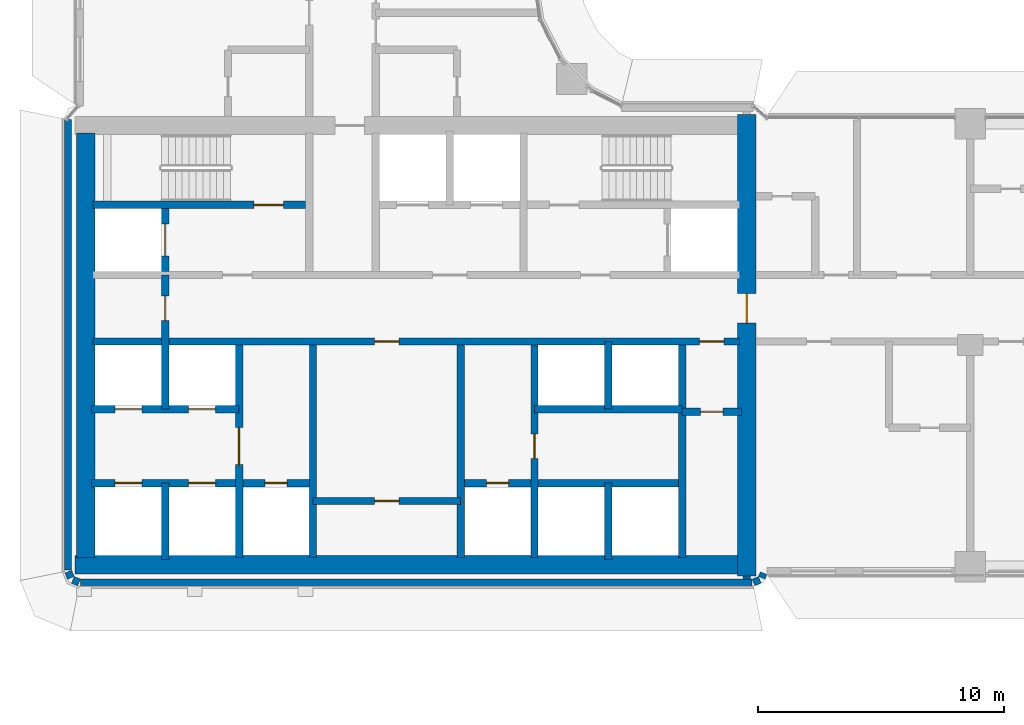
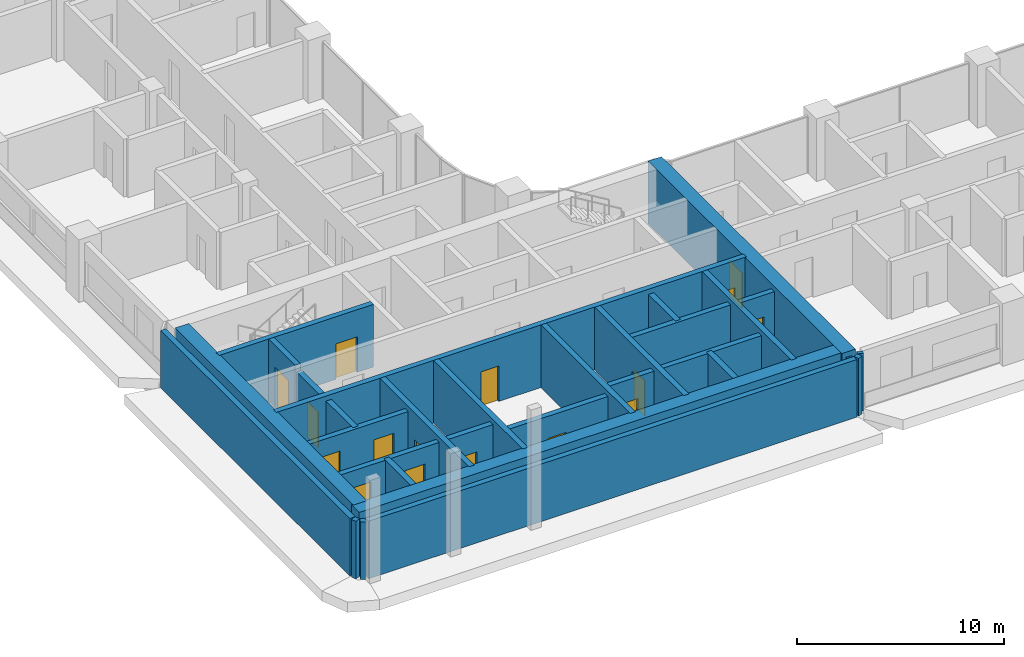
# One storey, part 15 of 33: 28 walls, 16 doors, 16 openings.
"""IFC4 building model written with IfcOpenShell, lengths in metres."""

from ifc_helpers import new_model, si_unit, direction, frame, frame_2d, origin, place, context, subcontext, project, spatial, rectangle, extrude, material, layer, layer_set, type_object, element, fill, save


model = new_model("IFC4")

# Units and contexts
model_context = context("Model", 3, precision=1e-05, world=origin(), true_north=direction((0.0, 1.0)))
body_context = subcontext(model_context, "Body", "Model", "MODEL_VIEW")
ifc_project = project(units=[si_unit("LENGTHUNIT", "METRE"), si_unit("AREAUNIT", "SQUARE_METRE"), si_unit("VOLUMEUNIT", "CUBIC_METRE"), si_unit("PLANEANGLEUNIT", "RADIAN"), si_unit("MASSUNIT", "GRAM", prefix="KILO")], contexts=[model_context])

# Site, building, storey
site_placement = place(None, origin())
site = spatial("IfcSite", under=ifc_project, at=site_placement, CompositionType="ELEMENT")
building_placement = place(site_placement, origin())
building = spatial("IfcBuilding", under=site, at=building_placement, Name="Ogive Portal Towers", CompositionType="ELEMENT")
storey_placement = place(building_placement, frame((0.0, 0.0, 98.199951171875)))
storey = spatial("IfcBuildingStorey", under=building, at=storey_placement, Name="L23", CompositionType="ELEMENT", Elevation=98.199951171875)

# Wall, opening, door
ifc_material_1 = material(Name="Concrete C60/75", Category="concrete")
ifc_layer_1 = layer(ifc_material_1, 0.300048828125)
ifc_layer_set_1 = layer_set([ifc_layer_1], Name="CORE WALL 300 C60")
wall_type_1 = type_object("IfcWallType", Name="CORE WALL 300 C60", PredefinedType="SHEAR", material=ifc_layer_set_1)
wall_1_placement = place(storey_placement, frame((37.800048828125, 21.875, 0.0), z_axis=(0.0, 0.0, 1.0), x_axis=(0.0, 1.0, 0.0)))
wall_1 = element("IfcWall", 1, at=wall_1_placement, inside=storey, type_object=wall_type_1, Name="Core wall X1 L23", PredefinedType="SHEAR", context=body_context, shape_type="SweptSolid", body=[
    extrude(rectangle(XDim=8.625, YDim=0.300048828125, at=frame_2d((4.3125, 0.0))), origin(), (0.0, 0.0, 1.0), 3.699951171875),
])
opening_1_placement = place(wall_1_placement, frame((3.77490234375, 0.0, 0.0)))
opening_1 = element("IfcOpeningElement", 2, at=opening_1_placement, cuts=wall_1, Name="Opening D08-001", PredefinedType="OPENING", context=body_context, shape_type="SweptSolid", body=[
    extrude(rectangle(XDim=1.5, YDim=2.10009765625, at=frame_2d((0.75, 1.050048828125))), frame((0.0, 0.16015625, 0.0), z_axis=(0.0, -1.0, 0.0), x_axis=(1.0, 0.0, 0.0)), (0.0, 0.0, 1.0), 0.320068359375),
])
ifc_material_2 = material(Name="Steel fire door", Category="steel")
door_type_1 = type_object("IfcDoorType", Name="DT-SWING-1500x2100-FD90S", OperationType="SINGLE_SWING_LEFT", PredefinedType="DOOR", material=ifc_material_2)
door_1_placement = place(opening_1_placement, origin())
door_1 = element("IfcDoor", 3, at=door_1_placement, inside=storey, type_object=door_type_1, Name="Door D08-001", OperationType="SINGLE_SWING_LEFT", OverallHeight=2.10009765625, OverallWidth=1.5, PredefinedType="DOOR", context=body_context, shape_type="SweptSolid", body=[
    extrude(rectangle(XDim=1.5, YDim=2.10009765625, at=frame_2d((0.75, 1.050048828125))), frame((0.0, 0.02490234375, 0.0), z_axis=(0.0, -1.0, 0.0), x_axis=(1.0, 0.0, 0.0)), (0.0, 0.0, 1.0), 0.050048828125),
])
fill(opening_1, door_1)

# Walls
for number, where, z_axis, x_axis, name in (
    (4, (40.800048828125, 21.875, 0.0), (0.0, 0.0, 1.0), (0.0, 1.0, 0.0), "Core wall X2 L23"),
    (5, (46.800048828125, 21.875, 0.0), (0.0, 0.0, 1.0), (0.0, 1.0, 0.0), "Core wall X3 L23"),
):
    element("IfcWall", number, at=place(storey_placement, frame(where, z_axis=z_axis, x_axis=x_axis)), inside=storey, type_object=wall_type_1, Name=name, PredefinedType="SHEAR", context=body_context, shape_type="SweptSolid", body=[
        extrude(rectangle(XDim=8.625, YDim=0.300048828125, at=frame_2d((4.3125, 0.0))), origin(), (0.0, 0.0, 1.0), 3.699951171875),
    ])

# Wall, opening, door
wall_2_placement = place(storey_placement, frame((49.800048828125, 21.875, 0.0), z_axis=(0.0, 0.0, 1.0), x_axis=(0.0, 1.0, 0.0)))
wall_2 = element("IfcWall", 6, at=wall_2_placement, inside=storey, type_object=wall_type_1, Name="Core wall X4 L23", PredefinedType="SHEAR", context=body_context, shape_type="SweptSolid", body=[
    extrude(rectangle(XDim=8.625, YDim=0.300048828125, at=frame_2d((4.3125, 0.0))), origin(), (0.0, 0.0, 1.0), 3.699951171875),
])
opening_2_placement = place(wall_2_placement, frame((4.02490234375, 0.0, 0.0)))
opening_2 = element("IfcOpeningElement", 7, at=opening_2_placement, cuts=wall_2, Name="Opening D08-023", PredefinedType="OPENING", context=body_context, shape_type="SweptSolid", body=[
    extrude(rectangle(XDim=1.0, YDim=2.10009765625, at=frame_2d((0.5, 1.050048828125))), frame((0.0, 0.16015625, 0.0), z_axis=(0.0, -1.0, 0.0), x_axis=(1.0, 0.0, 0.0)), (0.0, 0.0, 1.0), 0.320068359375),
])
door_type_2 = type_object("IfcDoorType", Name="DT-SWING-1000x2100-FD90S", OperationType="SINGLE_SWING_LEFT", PredefinedType="DOOR", material=ifc_material_2)
door_2_placement = place(opening_2_placement, origin())
door_2 = element("IfcDoor", 8, at=door_2_placement, inside=storey, type_object=door_type_2, Name="Door D08-023", OperationType="SINGLE_SWING_LEFT", OverallHeight=2.10009765625, OverallWidth=1.0, PredefinedType="DOOR", context=body_context, shape_type="SweptSolid", body=[
    extrude(rectangle(XDim=1.0, YDim=2.10009765625, at=frame_2d((0.5, 1.050048828125))), frame((0.0, 0.02490234375, 0.0), z_axis=(0.0, -1.0, 0.0), x_axis=(1.0, 0.0, 0.0)), (0.0, 0.0, 1.0), 0.050048828125),
])
fill(opening_2, door_2)

# Wall
wall_3_placement = place(storey_placement, frame((55.800048828125, 21.875, 0.0), z_axis=(0.0, 0.0, 1.0), x_axis=(0.0, 1.0, 0.0)))
element("IfcWall", 9, at=wall_3_placement, inside=storey, type_object=wall_type_1, Name="Core wall X5 L23", PredefinedType="SHEAR", context=body_context, shape_type="SweptSolid", body=[
    extrude(rectangle(XDim=8.625, YDim=0.300048828125, at=frame_2d((4.3125, 0.0))), origin(), (0.0, 0.0, 1.0), 3.699951171875),
])

# Wall, openings, doors
wall_4_placement = place(storey_placement, frame((31.875, 30.64990234375, 0.0), z_axis=(0.0, 0.0, 1.0), x_axis=(1.0, 0.0, 0.0)))
wall_4 = element("IfcWall", 10, at=wall_4_placement, inside=storey, type_object=wall_type_1, Name="Core wall Y1 L23", PredefinedType="SHEAR", context=body_context, shape_type="SweptSolid", body=[
    extrude(rectangle(XDim=26.25, YDim=0.300048828125, at=frame_2d((13.125, 0.0))), origin(), (0.0, 0.0, 1.0), 3.699951171875),
])
opening_3_placement = place(wall_4_placement, frame((24.625, 0.0, 0.0)))
opening_3 = element("IfcOpeningElement", 11, at=opening_3_placement, cuts=wall_4, Name="Opening D08-009", PredefinedType="OPENING", context=body_context, shape_type="SweptSolid", body=[
    extrude(rectangle(XDim=1.0, YDim=2.10009765625, at=frame_2d((0.5, 1.050048828125))), frame((0.0, 0.16015625, 0.0), z_axis=(0.0, -1.0, 0.0), x_axis=(1.0, 0.0, 0.0)), (0.0, 0.0, 1.0), 0.320068359375),
])
opening_4_placement = place(wall_4_placement, frame((11.425048828125, 0.0, 0.0)))
opening_4 = element("IfcOpeningElement", 12, at=opening_4_placement, cuts=wall_4, Name="Opening D08-021", PredefinedType="OPENING", context=body_context, shape_type="SweptSolid", body=[
    extrude(rectangle(XDim=1.0, YDim=2.10009765625, at=frame_2d((0.5, 1.050048828125))), frame((0.0, 0.16015625, 0.0), z_axis=(0.0, -1.0, 0.0), x_axis=(1.0, 0.0, 0.0)), (0.0, 0.0, 1.0), 0.320068359375),
])
door_3_placement = place(opening_3_placement, origin())
door_3 = element("IfcDoor", 13, at=door_3_placement, inside=storey, type_object=door_type_2, Name="Door D08-009", OperationType="SINGLE_SWING_LEFT", OverallHeight=2.10009765625, OverallWidth=1.0, PredefinedType="DOOR", context=body_context, shape_type="SweptSolid", body=[
    extrude(rectangle(XDim=1.0, YDim=2.10009765625, at=frame_2d((0.5, 1.050048828125))), frame((0.0, 0.02490234375, 0.0), z_axis=(0.0, -1.0, 0.0), x_axis=(1.0, 0.0, 0.0)), (0.0, 0.0, 1.0), 0.050048828125),
])
fill(opening_3, door_3)
door_4_placement = place(opening_4_placement, origin())
door_4 = element("IfcDoor", 14, at=door_4_placement, inside=storey, type_object=door_type_2, Name="Door D08-021", OperationType="SINGLE_SWING_LEFT", OverallHeight=2.10009765625, OverallWidth=1.0, PredefinedType="DOOR", context=body_context, shape_type="SweptSolid", body=[
    extrude(rectangle(XDim=1.0, YDim=2.10009765625, at=frame_2d((0.5, 1.050048828125))), frame((0.0, 0.02490234375, 0.0), z_axis=(0.0, -1.0, 0.0), x_axis=(1.0, 0.0, 0.0)), (0.0, 0.0, 1.0), 0.050048828125),
])
fill(opening_4, door_4)

# Wall, opening, door
wall_5_placement = place(storey_placement, frame((31.875, 36.199951171875, 0.0), z_axis=(0.0, 0.0, 1.0), x_axis=(1.0, 0.0, 0.0)))
wall_5 = element("IfcWall", 15, at=wall_5_placement, inside=storey, type_object=wall_type_1, Name="Core wall Y3a L23", PredefinedType="SHEAR", context=body_context, shape_type="SweptSolid", body=[
    extrude(rectangle(XDim=8.625, YDim=0.300048828125, at=frame_2d((4.3125, 0.0))), origin(), (0.0, 0.0, 1.0), 3.699951171875),
])
opening_5_placement = place(wall_5_placement, frame((6.52490234375, 0.0, 0.0)))
opening_5 = element("IfcOpeningElement", 16, at=opening_5_placement, cuts=wall_5, Name="Opening D08-005", PredefinedType="OPENING", context=body_context, shape_type="SweptSolid", body=[
    extrude(rectangle(XDim=1.199951171875, YDim=2.10009765625, at=frame_2d((0.60009765625, 1.050048828125))), frame((0.0, 0.16015625, 0.0), z_axis=(0.0, -1.0, 0.0), x_axis=(1.0, 0.0, 0.0)), (0.0, 0.0, 1.0), 0.320068359375),
])
door_type_3 = type_object("IfcDoorType", Name="DT-SWING-1200x2100-FD90S", OperationType="SINGLE_SWING_LEFT", PredefinedType="DOOR", material=ifc_material_2)
door_5_placement = place(opening_5_placement, origin())
door_5 = element("IfcDoor", 17, at=door_5_placement, inside=storey, type_object=door_type_3, Name="Door D08-005", OperationType="SINGLE_SWING_RIGHT", OverallHeight=2.10009765625, OverallWidth=1.199951171875, PredefinedType="DOOR", context=body_context, shape_type="SweptSolid", body=[
    extrude(rectangle(XDim=1.199951171875, YDim=2.10009765625, at=frame_2d((0.60009765625, 1.050048828125))), frame((0.0, 0.02490234375, 0.0), z_axis=(0.0, -1.0, 0.0), x_axis=(1.0, 0.0, 0.0)), (0.0, 0.0, 1.0), 0.050048828125),
])
fill(opening_5, door_5)

wall_6_placement = place(storey_placement, frame((34.800048828125, 33.5, 0.0), z_axis=(0.0, 0.0, 1.0), x_axis=(0.0, 1.0, 0.0)))
wall_6 = element("IfcWall", 18, at=wall_6_placement, inside=storey, type_object=wall_type_1, Name="Core wall X8 L23", PredefinedType="SHEAR", context=body_context, shape_type="SweptSolid", body=[
    extrude(rectangle(XDim=2.550048828125, YDim=0.300048828125, at=frame_2d((1.27490234375, 0.0))), origin(), (0.0, 0.0, 1.0), 3.699951171875),
])
opening_6_placement = place(wall_6_placement, frame((0.625, 0.0, 0.0)))
opening_6 = element("IfcOpeningElement", 19, at=opening_6_placement, cuts=wall_6, Name="Opening D08-019", PredefinedType="OPENING", context=body_context, shape_type="SweptSolid", body=[
    extrude(rectangle(XDim=1.300048828125, YDim=2.39990234375, at=frame_2d((0.64990234375, 1.199951171875))), frame((0.0, 0.16015625, 0.0), z_axis=(0.0, -1.0, 0.0), x_axis=(1.0, 0.0, 0.0)), (0.0, 0.0, 1.0), 0.320068359375),
])
ifc_material_3 = material(Name="Stainless steel", Category="steel")
door_type_4 = type_object("IfcDoorType", Name="DT-LD-1300x2400", OperationType="SLIDING_TO_LEFT", PredefinedType="DOOR", material=ifc_material_3)
door_6_placement = place(opening_6_placement, origin())
door_6 = element("IfcDoor", 20, at=door_6_placement, inside=storey, type_object=door_type_4, Name="Door D08-019", OperationType="SLIDING_TO_LEFT", OverallHeight=2.39990234375, OverallWidth=1.300048828125, PredefinedType="DOOR", context=body_context, shape_type="SweptSolid", body=[
    extrude(rectangle(XDim=1.300048828125, YDim=2.39990234375, at=frame_2d((0.64990234375, 1.199951171875))), frame((0.0, 0.02490234375, 0.0), z_axis=(0.0, -1.0, 0.0), x_axis=(1.0, 0.0, 0.0)), (0.0, 0.0, 1.0), 0.050048828125),
])
fill(opening_6, door_6)

# Walls
ifc_layer_2 = layer(ifc_material_1, 0.75)
ifc_layer_set_2 = layer_set([ifc_layer_2], Name="CORE WALL 750 C60")
wall_type_2 = type_object("IfcWallType", Name="CORE WALL 750 C60", PredefinedType="SHEAR", material=ifc_layer_set_2)
wall_7_placement = place(storey_placement, frame((31.574951171875, 21.875, 0.0), z_axis=(0.0, 0.0, 1.0), x_axis=(0.0, 1.0, 0.0)))
element("IfcWall", 21, at=wall_7_placement, inside=storey, type_object=wall_type_2, Name="Core wall W L23", PredefinedType="SHEAR", context=body_context, shape_type="SweptSolid", body=[
    extrude(rectangle(XDim=17.25, YDim=0.75, at=frame_2d((8.625, 0.0))), origin(), (0.0, 0.0, 1.0), 3.699951171875),
])
wall_8_placement = place(storey_placement, frame((31.125, 21.574951171875, 0.0), z_axis=(0.0, 0.0, 1.0), x_axis=(1.0, 0.0, 0.0)))
element("IfcWall", 22, at=wall_8_placement, inside=storey, type_object=wall_type_2, Name="Core wall S L23", PredefinedType="SHEAR", context=body_context, shape_type="SweptSolid", body=[
    extrude(rectangle(XDim=27.0, YDim=0.75, at=frame_2d((13.5, 0.0))), origin(), (0.0, 0.0, 1.0), 3.699951171875),
])

# Wall, opening, door
wall_9_placement = place(storey_placement, frame((58.425048828125, 21.125, 0.0), z_axis=(0.0, 0.0, 1.0), x_axis=(0.0, 1.0, 0.0)))
wall_9 = element("IfcWall", 23, at=wall_9_placement, inside=storey, type_object=wall_type_2, Name="Core wall E L23", PredefinedType="SHEAR", context=body_context, shape_type="SweptSolid", body=[
    extrude(rectangle(XDim=18.75, YDim=0.75, at=frame_2d((9.375, 0.0))), origin(), (0.0, 0.0, 1.0), 3.699951171875),
])
opening_7_placement = place(wall_9_placement, frame((10.27490234375, 0.0, 0.0)))
opening_7 = element("IfcOpeningElement", 24, at=opening_7_placement, cuts=wall_9, Name="Opening D08-011", PredefinedType="OPENING", context=body_context, shape_type="SweptSolid", body=[
    extrude(rectangle(XDim=1.199951171875, YDim=2.10009765625, at=frame_2d((0.60009765625, 1.050048828125))), frame((0.0, 0.385009765625, 0.0), z_axis=(0.0, -1.0, 0.0), x_axis=(1.0, 0.0, 0.0)), (0.0, 0.0, 1.0), 0.77001953125),
])
door_7_placement = place(opening_7_placement, origin())
door_7 = element("IfcDoor", 25, at=door_7_placement, inside=storey, type_object=door_type_3, Name="Door D08-011", OperationType="SINGLE_SWING_LEFT", OverallHeight=2.10009765625, OverallWidth=1.199951171875, PredefinedType="DOOR", context=body_context, shape_type="SweptSolid", body=[
    extrude(rectangle(XDim=1.199951171875, YDim=2.10009765625, at=frame_2d((0.60009765625, 1.050048828125))), frame((0.0, 0.02490234375, 0.0), z_axis=(0.0, -1.0, 0.0), x_axis=(1.0, 0.0, 0.0)), (0.0, 0.0, 1.0), 0.050048828125),
])
fill(opening_7, door_7)

# Walls
ifc_material_4 = material(Name="Limestone cladding on lightweight block wall", Category="masonry")
ifc_layer_3 = layer(ifc_material_4, 0.300048828125)
ifc_layer_set_3 = layer_set([ifc_layer_3], Name="EXTERNAL WALL 300 STONE")
wall_type_3 = type_object("IfcWallType", Name="EXTERNAL WALL 300 STONE", PredefinedType="SOLIDWALL", material=ifc_layer_set_3)
wall_10_placement = place(storey_placement, frame((30.85009765625, 39.669921875, 0.0), z_axis=(0.0, 0.0, 1.0), x_axis=(0.0, -1.0, 0.0)))
element("IfcWall", 26, at=wall_10_placement, inside=storey, type_object=wall_type_3, Name="A:L23:f14:r0:wall", PredefinedType="SOLIDWALL", context=body_context, shape_type="SweptSolid", body=[
    extrude(rectangle(XDim=18.310302734375, YDim=0.300048828125, at=frame_2d((9.1552734375, 0.0))), origin(), (0.0, 0.0, 1.0), 3.400146484375),
])
for number, where, z_axis, x_axis, name in (
    (27, (30.861328125, 21.30224609375, 0.0), (0.0, 0.0, 1.0), (0.38297812142, -0.923757413239, 0.0), "A:L23:f15:r0:wall"),
    (28, (31.0478515625, 20.966796875, 0.0), (0.0, 0.0, 1.0), (0.923757413239, -0.38297812142, 0.0), "A:L23:f16:r0:wall"),
):
    element("IfcWall", number, at=place(storey_placement, frame(where, z_axis=z_axis, x_axis=x_axis)), inside=storey, type_object=wall_type_3, Name=name, PredefinedType="SOLIDWALL", context=body_context, shape_type="SweptSolid", body=[
        extrude(rectangle(XDim=0.275390625, YDim=0.300048828125, at=frame_2d((0.1376953125, 0.0))), origin(), (0.0, 0.0, 1.0), 3.400146484375),
    ])
wall_11_placement = place(storey_placement, frame((31.359619140625, 20.85009765625, 0.0), z_axis=(0.0, 0.0, 1.0), x_axis=(1.0, 0.0, 0.0)))
element("IfcWall", 29, at=wall_11_placement, inside=storey, type_object=wall_type_3, Name="A:L23:f17:r0:wall", PredefinedType="SOLIDWALL", context=body_context, shape_type="SweptSolid", body=[
    extrude(rectangle(XDim=27.28076171875, YDim=0.300048828125, at=frame_2d((13.640380859375, 0.0))), origin(), (0.0, 0.0, 1.0), 3.400146484375),
])
wall_12_placement = place(storey_placement, frame((58.69775390625, 20.861328125, 0.0), z_axis=(0.0, 0.0, 1.0), x_axis=(0.923757413239, 0.38297812142, 0.0)))
element("IfcWall", 30, at=wall_12_placement, inside=storey, type_object=wall_type_3, Name="A:L23:f18:r0:wall", PredefinedType="SOLIDWALL", context=body_context, shape_type="SweptSolid", body=[
    extrude(rectangle(XDim=0.275390625, YDim=0.300048828125, at=frame_2d((0.1376953125, 0.0))), origin(), (0.0, 0.0, 1.0), 3.400146484375),
])
wall_13_placement = place(storey_placement, frame((59.033203125, 21.0478515625, 0.0), z_axis=(0.0, 0.0, 1.0), x_axis=(0.383262727373, 0.923639367831, 0.0)))
element("IfcWall", 31, at=wall_13_placement, inside=storey, type_object=wall_type_3, Name="A:L23:f19:r0:wall", PredefinedType="SOLIDWALL", context=body_context, shape_type="SweptSolid", body=[
    extrude(rectangle(XDim=0.205078125, YDim=0.300048828125, at=frame_2d((0.1025390625, 0.0))), origin(), (0.0, 0.0, 1.0), 3.400146484375),
])

# Wall, opening, door
ifc_material_5 = material(Name="Gypsum board partition on steel studs", Category="steel")
ifc_layer_4 = layer(ifc_material_5, 0.300048828125)
ifc_layer_set_4 = layer_set([ifc_layer_4], Name="WT-PART-300")
wall_type_4 = type_object("IfcWallType", Name="WT-PART-300", PredefinedType="PARTITIONING", material=ifc_layer_set_4)
wall_14_placement = place(storey_placement, frame((40.800048828125, 24.173095703125, 0.0), z_axis=(0.0, 0.0, 1.0), x_axis=(1.0, 0.0, 0.0)))
wall_14 = element("IfcWall", 32, at=wall_14_placement, inside=storey, type_object=wall_type_4, Name="Wall pw:001:L23", PredefinedType="PARTITIONING", context=body_context, shape_type="SweptSolid", body=[
    extrude(rectangle(XDim=6.0, YDim=0.300048828125, at=frame_2d((3.0, 0.0))), origin(), (0.0, 0.0, 1.0), 3.400146484375),
])
opening_8_placement = place(wall_14_placement, frame((2.5, 0.0, 0.0)))
opening_8 = element("IfcOpeningElement", 33, at=opening_8_placement, cuts=wall_14, Name="Opening D08-022", PredefinedType="OPENING", context=body_context, shape_type="SweptSolid", body=[
    extrude(rectangle(XDim=1.0, YDim=2.10009765625, at=frame_2d((0.5, 1.050048828125))), frame((0.0, 0.16015625, 0.0), z_axis=(0.0, -1.0, 0.0), x_axis=(1.0, 0.0, 0.0)), (0.0, 0.0, 1.0), 0.320068359375),
])
door_type_5 = type_object("IfcDoorType", Name="DT-SWING-1000x2100-FD60S", OperationType="SINGLE_SWING_LEFT", PredefinedType="DOOR", material=ifc_material_2)
door_8_placement = place(opening_8_placement, origin())
door_8 = element("IfcDoor", 34, at=door_8_placement, inside=storey, type_object=door_type_5, Name="Riser access door D08-022", OperationType="SINGLE_SWING_RIGHT", OverallHeight=2.10009765625, OverallWidth=1.0, PredefinedType="DOOR", context=body_context, shape_type="SweptSolid", body=[
    extrude(rectangle(XDim=1.0, YDim=2.10009765625, at=frame_2d((0.5, 1.050048828125))), frame((0.0, 0.02490234375, 0.0), z_axis=(0.0, -1.0, 0.0), x_axis=(1.0, 0.0, 0.0)), (0.0, 0.0, 1.0), 0.050048828125),
])
fill(opening_8, door_8)

wall_15_placement = place(storey_placement, frame((55.800048828125, 27.800048828125, 0.0), z_axis=(0.0, 0.0, 1.0), x_axis=(1.0, 0.0, 0.0)))
wall_15 = element("IfcWall", 35, at=wall_15_placement, inside=storey, type_object=wall_type_4, Name="Wall pw:004:L23", PredefinedType="PARTITIONING", context=body_context, shape_type="SweptSolid", body=[
    extrude(rectangle(XDim=2.39990234375, YDim=0.300048828125, at=frame_2d((1.199951171875, 0.0))), origin(), (0.0, 0.0, 1.0), 3.400146484375),
])
opening_9_placement = place(wall_15_placement, frame((0.75, 0.0, 0.0)))
opening_9 = element("IfcOpeningElement", 36, at=opening_9_placement, cuts=wall_15, Name="Opening D08-010", PredefinedType="OPENING", context=body_context, shape_type="SweptSolid", body=[
    extrude(rectangle(XDim=0.89990234375, YDim=2.10009765625, at=frame_2d((0.449951171875, 1.050048828125))), frame((0.0, 0.16015625, 0.0), z_axis=(0.0, -1.0, 0.0), x_axis=(1.0, 0.0, 0.0)), (0.0, 0.0, 1.0), 0.320068359375),
])
door_type_6 = type_object("IfcDoorType", Name="DT-SWING-900x2100-FD60S", OperationType="SINGLE_SWING_LEFT", PredefinedType="DOOR", material=ifc_material_2)
door_9_placement = place(opening_9_placement, origin())
door_9 = element("IfcDoor", 37, at=door_9_placement, inside=storey, type_object=door_type_6, Name="Door D08-010", OperationType="SINGLE_SWING_RIGHT", OverallHeight=2.10009765625, OverallWidth=0.89990234375, PredefinedType="DOOR", context=body_context, shape_type="SweptSolid", body=[
    extrude(rectangle(XDim=0.89990234375, YDim=2.10009765625, at=frame_2d((0.449951171875, 1.050048828125))), frame((0.0, 0.02490234375, 0.0), z_axis=(0.0, -1.0, 0.0), x_axis=(1.0, 0.0, 0.0)), (0.0, 0.0, 1.0), 0.050048828125),
])
fill(opening_9, door_9)

# Wall
ifc_layer_5 = layer(ifc_material_5, 0.300048828125)
ifc_layer_set_5 = layer_set([ifc_layer_5], Name="WT-PART-300-EI 120")
wall_type_5 = type_object("IfcWallType", Name="WT-PART-300-EI 120", PredefinedType="PARTITIONING", material=ifc_layer_set_5)
wall_16_placement = place(storey_placement, frame((58.425048828125, 21.125, 0.0), z_axis=(0.0, 0.0, 1.0), x_axis=(0.0, -1.0, 0.0)))
element("IfcWall", 38, at=wall_16_placement, inside=storey, type_object=wall_type_5, Name="Wall L23:wc01", PredefinedType="PARTITIONING", context=body_context, shape_type="SweptSolid", body=[
    extrude(rectangle(XDim=0.114990234375, YDim=0.300048828125, at=frame_2d((0.0576171875, 0.0))), origin(), (0.0, 0.0, 1.0), 3.400146484375),
])

# Wall, openings, doors
ifc_material_6 = material(Name="Concrete C40/50", Category="concrete")
ifc_layer_6 = layer(ifc_material_6, 0.300048828125)
ifc_layer_set_6 = layer_set([ifc_layer_6], Name="WT-SHAFT-300")
wall_type_6 = type_object("IfcWallType", Name="WT-SHAFT-300", PredefinedType="SOLIDWALL", material=ifc_layer_set_6)
wall_17_placement = place(storey_placement, frame((31.800048828125, 24.89990234375, 0.0), z_axis=(0.0, 0.0, 1.0), x_axis=(1.0, 0.0, 0.0)))
wall_17 = element("IfcWall", 39, at=wall_17_placement, inside=storey, type_object=wall_type_6, Name="Wall pw:002:L23", PredefinedType="SOLIDWALL", context=body_context, shape_type="SweptSolid", body=[
    extrude(rectangle(XDim=9.0, YDim=0.300048828125, at=frame_2d((4.5, 0.0))), origin(), (0.0, 0.0, 1.0), 3.400146484375),
])
opening_10_placement = place(wall_17_placement, frame((7.050048828125, 0.0, 0.0)))
opening_10 = element("IfcOpeningElement", 40, at=opening_10_placement, cuts=wall_17, Name="Opening D08-007", PredefinedType="OPENING", context=body_context, shape_type="SweptSolid", body=[
    extrude(rectangle(XDim=0.89990234375, YDim=2.10009765625, at=frame_2d((0.449951171875, 1.050048828125))), frame((0.0, 0.16015625, 0.0), z_axis=(0.0, -1.0, 0.0), x_axis=(1.0, 0.0, 0.0)), (0.0, 0.0, 1.0), 0.320068359375),
])
opening_11_placement = place(wall_17_placement, frame((0.949951171875, 0.0, 0.0)))
opening_11 = element("IfcOpeningElement", 41, at=opening_11_placement, cuts=wall_17, Name="Opening D08-013", PredefinedType="OPENING", context=body_context, shape_type="SweptSolid", body=[
    extrude(rectangle(XDim=1.10009765625, YDim=2.39990234375, at=frame_2d((0.550048828125, 1.199951171875))), frame((0.0, 0.16015625, 0.0), z_axis=(0.0, -1.0, 0.0), x_axis=(1.0, 0.0, 0.0)), (0.0, 0.0, 1.0), 0.320068359375),
])
opening_12_placement = place(wall_17_placement, frame((3.949951171875, 0.0, 0.0)))
opening_12 = element("IfcOpeningElement", 42, at=opening_12_placement, cuts=wall_17, Name="Opening D08-014", PredefinedType="OPENING", context=body_context, shape_type="SweptSolid", body=[
    extrude(rectangle(XDim=1.10009765625, YDim=2.39990234375, at=frame_2d((0.550048828125, 1.199951171875))), frame((0.0, 0.16015625, 0.0), z_axis=(0.0, -1.0, 0.0), x_axis=(1.0, 0.0, 0.0)), (0.0, 0.0, 1.0), 0.320068359375),
])
door_type_7 = type_object("IfcDoorType", Name="DT-LD-1100x2400", OperationType="SLIDING_TO_LEFT", PredefinedType="DOOR", material=ifc_material_3)
door_10_placement = place(opening_11_placement, origin())
door_10 = element("IfcDoor", 43, at=door_10_placement, inside=storey, type_object=door_type_7, Name="Door D08-013", OperationType="SLIDING_TO_LEFT", OverallHeight=2.39990234375, OverallWidth=1.10009765625, PredefinedType="DOOR", context=body_context, shape_type="SweptSolid", body=[
    extrude(rectangle(XDim=1.10009765625, YDim=2.39990234375, at=frame_2d((0.550048828125, 1.199951171875))), frame((0.0, 0.02490234375, 0.0), z_axis=(0.0, -1.0, 0.0), x_axis=(1.0, 0.0, 0.0)), (0.0, 0.0, 1.0), 0.050048828125),
])
fill(opening_11, door_10)
door_11_placement = place(opening_12_placement, origin())
door_11 = element("IfcDoor", 44, at=door_11_placement, inside=storey, type_object=door_type_7, Name="Door D08-014", OperationType="SLIDING_TO_LEFT", OverallHeight=2.39990234375, OverallWidth=1.10009765625, PredefinedType="DOOR", context=body_context, shape_type="SweptSolid", body=[
    extrude(rectangle(XDim=1.10009765625, YDim=2.39990234375, at=frame_2d((0.550048828125, 1.199951171875))), frame((0.0, 0.02490234375, 0.0), z_axis=(0.0, -1.0, 0.0), x_axis=(1.0, 0.0, 0.0)), (0.0, 0.0, 1.0), 0.050048828125),
])
fill(opening_12, door_11)
door_type_8 = type_object("IfcDoorType", Name="DT-SWING-900x2100-FD90S", OperationType="SINGLE_SWING_LEFT", PredefinedType="DOOR", material=ifc_material_2)
door_12_placement = place(opening_10_placement, origin())
door_12 = element("IfcDoor", 45, at=door_12_placement, inside=storey, type_object=door_type_8, Name="Riser access door D08-007", OperationType="SINGLE_SWING_LEFT", OverallHeight=2.10009765625, OverallWidth=0.89990234375, PredefinedType="DOOR", context=body_context, shape_type="SweptSolid", body=[
    extrude(rectangle(XDim=0.89990234375, YDim=2.10009765625, at=frame_2d((0.449951171875, 1.050048828125))), frame((0.0, 0.02490234375, 0.0), z_axis=(0.0, -1.0, 0.0), x_axis=(1.0, 0.0, 0.0)), (0.0, 0.0, 1.0), 0.050048828125),
])
fill(opening_10, door_12)

# Wall, opening, door
wall_18_placement = place(storey_placement, frame((46.800048828125, 24.89990234375, 0.0), z_axis=(0.0, 0.0, 1.0), x_axis=(1.0, 0.0, 0.0)))
wall_18 = element("IfcWall", 46, at=wall_18_placement, inside=storey, type_object=wall_type_6, Name="Wall pw:003:L23", PredefinedType="SOLIDWALL", context=body_context, shape_type="SweptSolid", body=[
    extrude(rectangle(XDim=9.0, YDim=0.300048828125, at=frame_2d((4.5, 0.0))), origin(), (0.0, 0.0, 1.0), 3.400146484375),
])
opening_13_placement = place(wall_18_placement, frame((1.050048828125, 0.0, 0.0)))
opening_13 = element("IfcOpeningElement", 47, at=opening_13_placement, cuts=wall_18, Name="Opening D08-008", PredefinedType="OPENING", context=body_context, shape_type="SweptSolid", body=[
    extrude(rectangle(XDim=0.89990234375, YDim=2.10009765625, at=frame_2d((0.449951171875, 1.050048828125))), frame((0.0, 0.16015625, 0.0), z_axis=(0.0, -1.0, 0.0), x_axis=(1.0, 0.0, 0.0)), (0.0, 0.0, 1.0), 0.320068359375),
])
door_13_placement = place(opening_13_placement, origin())
door_13 = element("IfcDoor", 48, at=door_13_placement, inside=storey, type_object=door_type_8, Name="Riser access door D08-008", OperationType="SINGLE_SWING_RIGHT", OverallHeight=2.10009765625, OverallWidth=0.89990234375, PredefinedType="DOOR", context=body_context, shape_type="SweptSolid", body=[
    extrude(rectangle(XDim=0.89990234375, YDim=2.10009765625, at=frame_2d((0.449951171875, 1.050048828125))), frame((0.0, 0.02490234375, 0.0), z_axis=(0.0, -1.0, 0.0), x_axis=(1.0, 0.0, 0.0)), (0.0, 0.0, 1.0), 0.050048828125),
])
fill(opening_13, door_13)

# Wall, openings, doors
wall_19_placement = place(storey_placement, frame((31.800048828125, 27.89990234375, 0.0), z_axis=(0.0, 0.0, 1.0), x_axis=(1.0, 0.0, 0.0)))
wall_19 = element("IfcWall", 49, at=wall_19_placement, inside=storey, type_object=wall_type_6, Name="Wall pw:005:L23", PredefinedType="SOLIDWALL", context=body_context, shape_type="SweptSolid", body=[
    extrude(rectangle(XDim=6.0, YDim=0.300048828125, at=frame_2d((3.0, 0.0))), origin(), (0.0, 0.0, 1.0), 3.400146484375),
])
opening_14_placement = place(wall_19_placement, frame((0.949951171875, 0.0, 0.0)))
opening_14 = element("IfcOpeningElement", 50, at=opening_14_placement, cuts=wall_19, Name="Opening D08-015", PredefinedType="OPENING", context=body_context, shape_type="SweptSolid", body=[
    extrude(rectangle(XDim=1.10009765625, YDim=2.39990234375, at=frame_2d((0.550048828125, 1.199951171875))), frame((0.0, 0.16015625, 0.0), z_axis=(0.0, -1.0, 0.0), x_axis=(1.0, 0.0, 0.0)), (0.0, 0.0, 1.0), 0.320068359375),
])
opening_15_placement = place(wall_19_placement, frame((3.949951171875, 0.0, 0.0)))
opening_15 = element("IfcOpeningElement", 51, at=opening_15_placement, cuts=wall_19, Name="Opening D08-016", PredefinedType="OPENING", context=body_context, shape_type="SweptSolid", body=[
    extrude(rectangle(XDim=1.10009765625, YDim=2.39990234375, at=frame_2d((0.550048828125, 1.199951171875))), frame((0.0, 0.16015625, 0.0), z_axis=(0.0, -1.0, 0.0), x_axis=(1.0, 0.0, 0.0)), (0.0, 0.0, 1.0), 0.320068359375),
])
door_14_placement = place(opening_14_placement, origin())
door_14 = element("IfcDoor", 52, at=door_14_placement, inside=storey, type_object=door_type_7, Name="Door D08-015", OperationType="SLIDING_TO_LEFT", OverallHeight=2.39990234375, OverallWidth=1.10009765625, PredefinedType="DOOR", context=body_context, shape_type="SweptSolid", body=[
    extrude(rectangle(XDim=1.10009765625, YDim=2.39990234375, at=frame_2d((0.550048828125, 1.199951171875))), frame((0.0, 0.02490234375, 0.0), z_axis=(0.0, -1.0, 0.0), x_axis=(1.0, 0.0, 0.0)), (0.0, 0.0, 1.0), 0.050048828125),
])
fill(opening_14, door_14)
door_15_placement = place(opening_15_placement, origin())
door_15 = element("IfcDoor", 53, at=door_15_placement, inside=storey, type_object=door_type_7, Name="Door D08-016", OperationType="SLIDING_TO_LEFT", OverallHeight=2.39990234375, OverallWidth=1.10009765625, PredefinedType="DOOR", context=body_context, shape_type="SweptSolid", body=[
    extrude(rectangle(XDim=1.10009765625, YDim=2.39990234375, at=frame_2d((0.550048828125, 1.199951171875))), frame((0.0, 0.02490234375, 0.0), z_axis=(0.0, -1.0, 0.0), x_axis=(1.0, 0.0, 0.0)), (0.0, 0.0, 1.0), 0.050048828125),
])
fill(opening_15, door_15)

# Walls
wall_20_placement = place(storey_placement, frame((49.800048828125, 27.89990234375, 0.0), z_axis=(0.0, 0.0, 1.0), x_axis=(1.0, 0.0, 0.0)))
element("IfcWall", 54, at=wall_20_placement, inside=storey, type_object=wall_type_6, Name="Wall pw:006:L23", PredefinedType="SOLIDWALL", context=body_context, shape_type="SweptSolid", body=[
    extrude(rectangle(XDim=6.0, YDim=0.300048828125, at=frame_2d((3.0, 0.0))), origin(), (0.0, 0.0, 1.0), 3.400146484375),
])
wall_21_placement = place(storey_placement, frame((34.800048828125, 21.800048828125, 0.0), z_axis=(0.0, 0.0, 1.0), x_axis=(0.0, 1.0, 0.0)))
element("IfcWall", 55, at=wall_21_placement, inside=storey, type_object=wall_type_6, Name="Wall pw:007:L23", PredefinedType="SOLIDWALL", context=body_context, shape_type="SweptSolid", body=[
    extrude(rectangle(XDim=3.099853515625, YDim=0.300048828125, at=frame_2d((1.5498046875, 0.0))), origin(), (0.0, 0.0, 1.0), 3.400146484375),
])

# Wall, opening, door
wall_22_placement = place(storey_placement, frame((34.800048828125, 27.89990234375, 0.0), z_axis=(0.0, 0.0, 1.0), x_axis=(0.0, 1.0, 0.0)))
wall_22 = element("IfcWall", 56, at=wall_22_placement, inside=storey, type_object=wall_type_6, Name="Wall pw:008:L23", PredefinedType="SOLIDWALL", context=body_context, shape_type="SweptSolid", body=[
    extrude(rectangle(XDim=5.4501953125, YDim=0.300048828125, at=frame_2d((2.72509765625, 0.0))), origin(), (0.0, 0.0, 1.0), 3.400146484375),
])
opening_16_placement = place(wall_22_placement, frame((3.60009765625, 0.0, 0.0)))
opening_16 = element("IfcOpeningElement", 57, at=opening_16_placement, cuts=wall_22, Name="Opening D08-024", PredefinedType="OPENING", context=body_context, shape_type="SweptSolid", body=[
    extrude(rectangle(XDim=1.0, YDim=2.10009765625, at=frame_2d((0.5, 1.050048828125))), frame((0.0, 0.16015625, 0.0), z_axis=(0.0, -1.0, 0.0), x_axis=(1.0, 0.0, 0.0)), (0.0, 0.0, 1.0), 0.320068359375),
])
door_16_placement = place(opening_16_placement, origin())
door_16 = element("IfcDoor", 58, at=door_16_placement, inside=storey, type_object=door_type_2, Name="Door D08-024", OperationType="SINGLE_SWING_RIGHT", OverallHeight=2.10009765625, OverallWidth=1.0, PredefinedType="DOOR", context=body_context, shape_type="SweptSolid", body=[
    extrude(rectangle(XDim=1.0, YDim=2.10009765625, at=frame_2d((0.5, 1.050048828125))), frame((0.0, 0.02490234375, 0.0), z_axis=(0.0, -1.0, 0.0), x_axis=(1.0, 0.0, 0.0)), (0.0, 0.0, 1.0), 0.050048828125),
])
fill(opening_16, door_16)

# Walls
wall_23_placement = place(storey_placement, frame((52.800048828125, 21.800048828125, 0.0), z_axis=(0.0, 0.0, 1.0), x_axis=(0.0, 1.0, 0.0)))
element("IfcWall", 59, at=wall_23_placement, inside=storey, type_object=wall_type_6, Name="Wall pw:010:L23", PredefinedType="SOLIDWALL", context=body_context, shape_type="SweptSolid", body=[
    extrude(rectangle(XDim=3.099853515625, YDim=0.300048828125, at=frame_2d((1.5498046875, 0.0))), origin(), (0.0, 0.0, 1.0), 3.400146484375),
])
wall_24_placement = place(storey_placement, frame((52.800048828125, 27.89990234375, 0.0), z_axis=(0.0, 0.0, 1.0), x_axis=(0.0, 1.0, 0.0)))
element("IfcWall", 60, at=wall_24_placement, inside=storey, type_object=wall_type_6, Name="Wall pw:011:L23", PredefinedType="SOLIDWALL", context=body_context, shape_type="SweptSolid", body=[
    extrude(rectangle(XDim=2.75, YDim=0.300048828125, at=frame_2d((1.375, 0.0))), origin(), (0.0, 0.0, 1.0), 3.400146484375),
])

save(model, "model.ifc")
